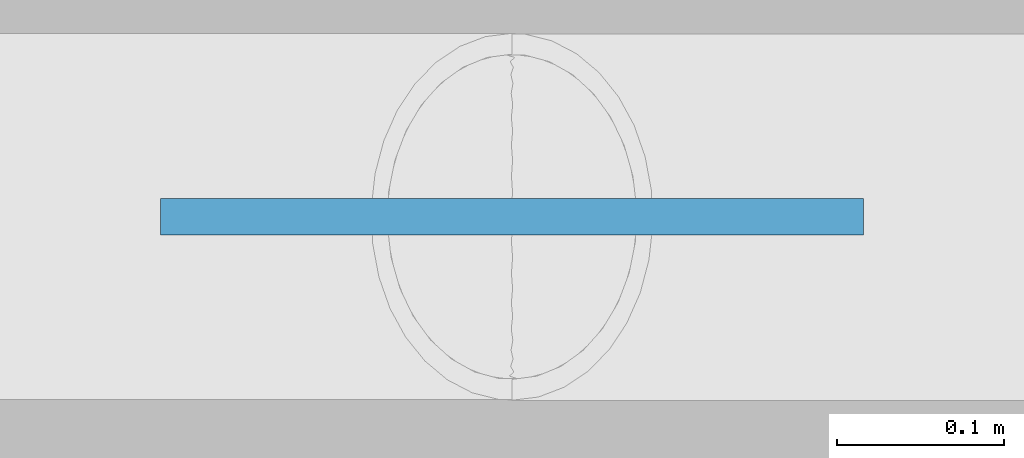
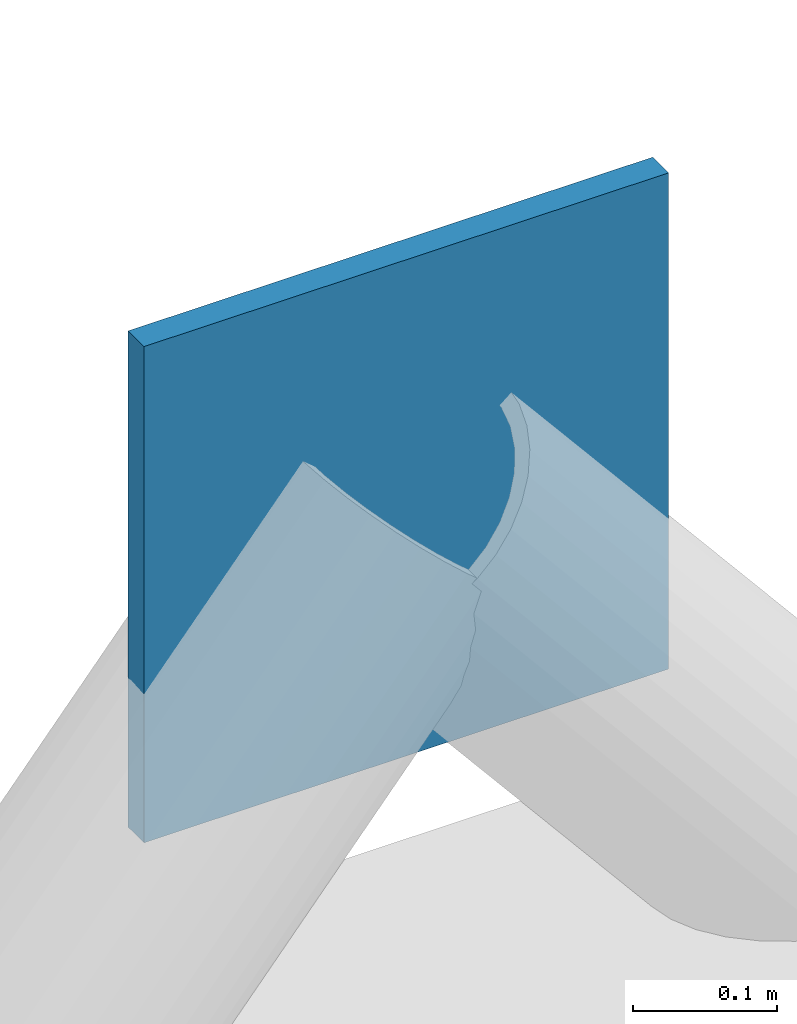
# One storey, part 58 of 126: 1 plate.
"""IFC4 building model written with IfcOpenShell, lengths in metres."""

from ifc_helpers import new_model, si_unit, direction, frame, origin, origin_2d, place, context, subcontext, project, spatial, rectangle, extrude, material, layer, layer_set, type_object, element, save


model = new_model("IFC4")

# Units and contexts
model_context = context("Model", 3, precision=1e-05, world=origin(), true_north=direction((0.0, 1.0)))
body_context = subcontext(model_context, "Body", "Model", "MODEL_VIEW")
ifc_project = project(units=[si_unit("LENGTHUNIT", "METRE"), si_unit("AREAUNIT", "SQUARE_METRE"), si_unit("VOLUMEUNIT", "CUBIC_METRE"), si_unit("PLANEANGLEUNIT", "RADIAN"), si_unit("MASSUNIT", "GRAM", prefix="KILO")], contexts=[model_context])

# Site, building, storey
site_placement = place(None, origin())
site = spatial("IfcSite", under=ifc_project, at=site_placement, CompositionType="ELEMENT")
building_placement = place(site_placement, origin())
building = spatial("IfcBuilding", under=site, at=building_placement, Name="Khelvaren Railside Concert Hall", CompositionType="ELEMENT")
storey_placement = place(building_placement, origin())
storey = spatial("IfcBuildingStorey", under=building, at=storey_placement, Name="L00", CompositionType="ELEMENT", Elevation=0.0)

# Plate
ifc_material = material(Name="Steel S355", Category="steel")
ifc_layer = layer(ifc_material, 0.02197265625)
ifc_layer_set = layer_set([ifc_layer], Name="Steel S355")
plate_type = type_object("IfcPlateType", Name="STP73", PredefinedType="USERDEFINED", material=ifc_layer_set)
plate_placement = place(storey_placement, frame((156.0, 114.0, 4.64013671875), z_axis=(0.0, 0.0, 1.0), x_axis=(1.0, 0.0, 0.0)))
element("IfcPlate", 1, at=plate_placement, inside=storey, type_object=plate_type, Name="V5 L00 Brace Apex Stiffener Plate 58", ObjectType="STIFFENER PLATE", PredefinedType="USERDEFINED", context=body_context, shape_type="SweptSolid", body=[
    extrude(rectangle(XDim=0.419921875, YDim=0.02197265625, at=origin_2d()), origin(), (0.0, 0.0, 1.0), 0.419921875),
])

save(model, "model.ifc")
